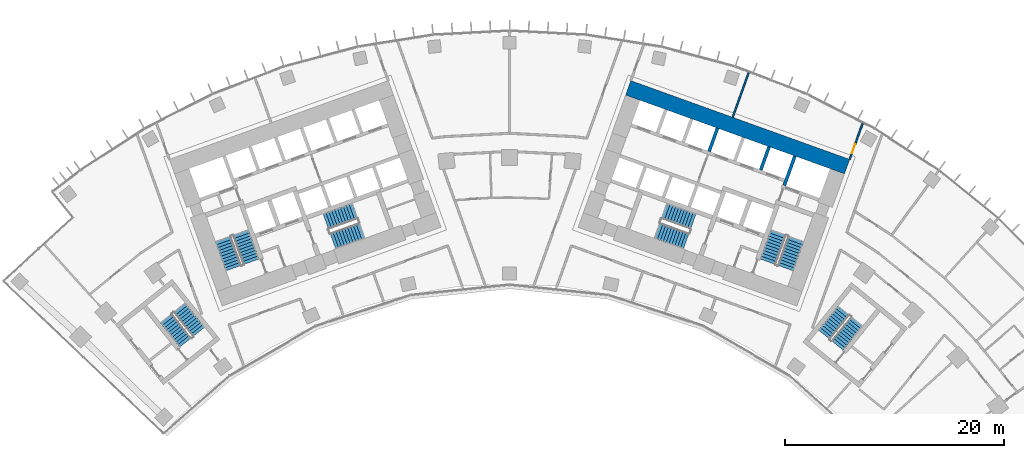
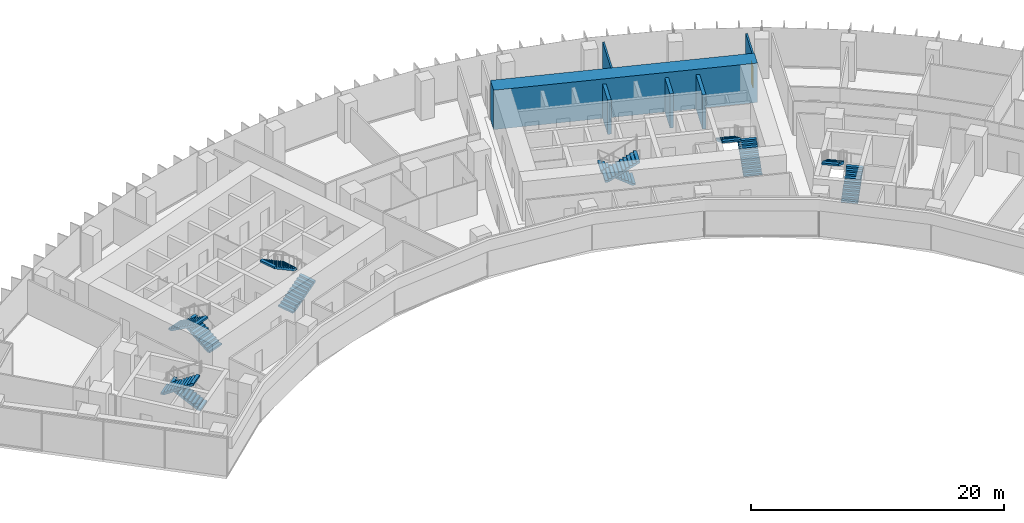
# One storey, part 20 of 22: 12 stair flights, 6 walls, 1 door, 1 opening, 6 elements without a shape of their own.
"""IFC4 building model written with IfcOpenShell, lengths in metres."""

from ifc_helpers import new_model, si_unit, direction, frame, frame_2d, origin, place, context, subcontext, project, spatial, polyline, rectangle, outline, extrude, material, layer, layer_set, type_object, element, fill, aggregate, save


model = new_model("IFC4")

# Units and contexts
model_context = context("Model", 3, precision=1e-05, world=origin(), true_north=direction((0.0, 1.0)))
body_context = subcontext(model_context, "Body", "Model", "MODEL_VIEW")
ifc_project = project(units=[si_unit("LENGTHUNIT", "METRE"), si_unit("AREAUNIT", "SQUARE_METRE"), si_unit("VOLUMEUNIT", "CUBIC_METRE"), si_unit("PLANEANGLEUNIT", "RADIAN"), si_unit("MASSUNIT", "GRAM", prefix="KILO")], contexts=[model_context])

# Site, building, storey
site_placement = place(None, origin())
site = spatial("IfcSite", under=ifc_project, at=site_placement, CompositionType="ELEMENT")
building_placement = place(site_placement, origin())
building = spatial("IfcBuilding", under=site, at=building_placement, Name="Stone Belt Terrace Tower", CompositionType="ELEMENT")
storey_placement = place(building_placement, frame((0.0, 0.0, 132.60009765625)))
storey = spatial("IfcBuildingStorey", under=building, at=storey_placement, Name="L32", CompositionType="ELEMENT", Elevation=132.60009765625)

# Walls
ifc_material_1 = material(Name="Concrete B80", Category="concrete")
ifc_layer_1 = layer(ifc_material_1, 1.39990234375)
ifc_layer_set_1 = layer_set([ifc_layer_1], Name="Core wall 1400 B80")
wall_type_1 = type_object("IfcWallType", Name="Core wall 1400 B80", PredefinedType="SHEAR", material=ifc_layer_set_1)
wall_1_placement = place(storey_placement, frame((10.81787109375, 61.362060546875, 0.0), z_axis=(0.0, 0.0, 1.0), x_axis=(0.940919704758, -0.338629752382, 0.0)))
element("IfcWall", 1, at=wall_1_placement, inside=storey, type_object=wall_type_1, Name="Core B wall convex L32", PredefinedType="SHEAR", context=body_context, shape_type="SweptSolid", body=[
    extrude(rectangle(XDim=21.199951171875, YDim=1.39990234375, at=frame_2d((10.60009765625, 0.0))), origin(), (0.0, 0.0, 1.0), 3.7998046875),
])
ifc_layer_2 = layer(ifc_material_1, 0.300048828125)
ifc_layer_set_2 = layer_set([ifc_layer_2], Name="Lift shaft wall 300")
wall_type_2 = type_object("IfcWallType", Name="Lift shaft wall 300", PredefinedType="SHEAR", material=ifc_layer_set_2)
wall_2_placement = place(storey_placement, frame((25.046875, 52.46826171875, 0.0), z_axis=(0.0, 0.0, 1.0), x_axis=(0.338549588058, 0.940948551423, 0.0)))
element("IfcWall", 2, at=wall_2_placement, inside=storey, type_object=wall_type_2, Name="Core B wall", PredefinedType="SHEAR", context=body_context, shape_type="SweptSolid", body=[
    extrude(rectangle(XDim=2.849853515625, YDim=0.300048828125, at=frame_2d((1.4248046875, 0.0))), origin(), (0.0, 0.0, 1.0), 3.2998046875),
])
for number, where, z_axis, x_axis, name in (
    (3, (22.897705078125, 53.87939453125, 0.0), (0.0, 0.0, 1.0), (0.338535034312, 0.940953787677, 0.0), "Core B wall"),
    (4, (18.193115234375, 55.572509765625, 0.0), (0.0, 0.0, 1.0), (0.338535034312, 0.940953787677, 0.0), "Core B wall"),
):
    element("IfcWall", number, at=place(storey_placement, frame(where, z_axis=z_axis, x_axis=x_axis)), inside=storey, type_object=wall_type_2, Name=name, PredefinedType="SHEAR", context=body_context, shape_type="SweptSolid", body=[
        extrude(rectangle(XDim=2.25, YDim=0.300048828125, at=frame_2d((1.125, 0.0))), origin(), (0.0, 0.0, 1.0), 3.2998046875),
    ])

# Wall, opening, door
ifc_material_2 = material(Name="Gypsum board partition")
ifc_layer_3 = layer(ifc_material_2, 0.14990234375)
ifc_layer_set_3 = layer_set([ifc_layer_3], Name="PARTITION 150 EI 60")
wall_type_3 = type_object("IfcWallType", Name="PARTITION 150 EI 60", PredefinedType="PARTITIONING", material=ifc_layer_set_3)
wall_3_placement = place(storey_placement, frame((31.001953125, 54.842041015625, 0.0), z_axis=(0.0, 0.0, 1.0), x_axis=(0.338662585219, 0.940907887826, 0.0)))
wall_3 = element("IfcWall", 5, at=wall_3_placement, inside=storey, type_object=wall_type_3, Name="L32/wall/i023", PredefinedType="PARTITIONING", context=body_context, shape_type="SweptSolid", body=[
    extrude(rectangle(XDim=3.49560546875, YDim=0.14990234375, at=frame_2d((1.747802734375, 0.0))), origin(), (0.0, 0.0, 1.0), 3.2998046875),
])
opening_placement = place(wall_3_placement, frame((0.599365234375, 0.0, 0.0)))
opening = element("IfcOpeningElement", 6, at=opening_placement, cuts=wall_3, Name="Opening D-B5-11", PredefinedType="OPENING", context=body_context, shape_type="SweptSolid", body=[
    extrude(rectangle(XDim=0.89990234375, YDim=2.10009765625, at=frame_2d((0.449951171875, 1.050048828125))), frame((0.0, 0.0849609375, 0.0), z_axis=(0.0, -1.0, 0.0), x_axis=(1.0, 0.0, 0.0)), (0.0, 0.0, 1.0), 0.169921875),
])
ifc_material_3 = material(Name="Timber door leaf", Category="wood")
door_type = type_object("IfcDoorType", Name="OFFICE DOOR 900 X 2100", OperationType="NOTDEFINED", PredefinedType="DOOR", material=ifc_material_3)
door_placement = place(opening_placement, origin())
door = element("IfcDoor", 7, at=door_placement, inside=storey, type_object=door_type, Name="L32/door/i11", OperationType="SINGLE_SWING_LEFT", OverallHeight=2.10009765625, OverallWidth=0.89990234375, PredefinedType="DOOR", context=body_context, shape_type="SweptSolid", body=[
    extrude(rectangle(XDim=0.89990234375, YDim=2.10009765625, at=frame_2d((0.449951171875, 1.050048828125))), frame((0.0, 0.02490234375, 0.0), z_axis=(0.0, -1.0, 0.0), x_axis=(1.0, 0.0, 0.0)), (0.0, 0.0, 1.0), 0.050048828125),
])
fill(opening, door)

# Wall
wall_4_placement = place(storey_placement, frame((21.80078125, 62.76513671875, 0.0), z_axis=(0.0, 0.0, 1.0), x_axis=(-0.338470422653, -0.940977031063, 0.0)))
element("IfcWall", 8, at=wall_4_placement, inside=storey, type_object=wall_type_3, Name="L32/wall/i035", PredefinedType="PARTITIONING", context=body_context, shape_type="SweptSolid", body=[
    extrude(rectangle(XDim=4.33935546875, YDim=0.14990234375, at=frame_2d((2.169677734375, 0.0))), origin(), (0.0, 0.0, 1.0), 3.2998046875),
])

# Stair, stair flights
ifc_material_4 = material(Name="Concrete B40", Category="concrete")
stair_type = type_object("IfcStairType", Name="Exit stair 1500", PredefinedType="HALF_TURN_STAIR", material=ifc_material_4)
stair_1_placement = place(storey_placement, origin())
stair_1 = element("IfcStair", 9, at=stair_1_placement, inside=storey, type_object=stair_type, Name="L32 Exit stair 1 core A", PredefinedType="HALF_TURN_STAIR")
stair_flight_type = type_object("IfcStairFlightType", Name="Stair flight 1500", PredefinedType="STRAIGHT", material=ifc_material_4)
stair_flight_1_placement = place(storey_placement, frame((-23.55322265625, 45.51318359375, 0.0), z_axis=(0.0, 0.0, 1.0), x_axis=(-0.338624396177, 0.940921632398, 0.0)))
stair_flight_1 = element("IfcStairFlight", 10, at=stair_flight_1_placement, type_object=stair_flight_type, Name="ST1A flight 1", NumberOfRisers=11, NumberOfTreads=10, PredefinedType="STRAIGHT", RiserHeight=0.172727273, TreadLength=0.28, context=body_context, shape_type="SweptSolid", body=[
    extrude(outline(polyline([(0.0, 0.0), (0.0, 0.172607421875), (0.280029296875, 0.172607421875), (0.280029296875, 0.345458984375), (0.56005859375, 0.345458984375), (0.56005859375, 0.51806640625), (0.840087890625, 0.51806640625), (0.840087890625, 0.69091796875), (1.1201171875, 0.69091796875), (1.1201171875, 0.863525390625), (1.39990234375, 0.863525390625), (1.39990234375, 1.036376953125), (1.679931640625, 1.036376953125), (1.679931640625, 1.208984375), (1.9599609375, 1.208984375), (1.9599609375, 1.3818359375), (2.239990234375, 1.3818359375), (2.239990234375, 1.554443359375), (2.52001953125, 1.554443359375), (2.52001953125, 1.727294921875), (2.800048828125, 1.727294921875), (2.800048828125, 1.89990234375), (2.800048828125, 1.551025390625), (0.285400390625, 0.0), (0.0, 0.0)])), frame((0.0, 0.75, 0.0), z_axis=(0.0, -1.0, 0.0), x_axis=(1.0, 0.0, 0.0)), (0.0, 0.0, 1.0), 1.5),
])
stair_flight_2_placement = place(storey_placement, frame((-26.10107421875, 47.572021484375, 1.89990234375), z_axis=(0.0, 0.0, 1.0), x_axis=(0.338624396177, -0.940921632398, 0.0)))
stair_flight_2 = element("IfcStairFlight", 11, at=stair_flight_2_placement, type_object=stair_flight_type, Name="ST1A flight 2", NumberOfRisers=11, NumberOfTreads=10, PredefinedType="STRAIGHT", RiserHeight=0.172727273, TreadLength=0.28, context=body_context, shape_type="SweptSolid", body=[
    extrude(outline(polyline([(0.0, 0.0), (0.0, 0.172607421875), (0.280029296875, 0.172607421875), (0.280029296875, 0.345458984375), (0.56005859375, 0.345458984375), (0.56005859375, 0.51806640625), (0.840087890625, 0.51806640625), (0.840087890625, 0.69091796875), (1.1201171875, 0.69091796875), (1.1201171875, 0.863525390625), (1.39990234375, 0.863525390625), (1.39990234375, 1.036376953125), (1.679931640625, 1.036376953125), (1.679931640625, 1.208984375), (1.9599609375, 1.208984375), (1.9599609375, 1.3818359375), (2.239990234375, 1.3818359375), (2.239990234375, 1.554443359375), (2.52001953125, 1.554443359375), (2.52001953125, 1.727294921875), (2.800048828125, 1.727294921875), (2.800048828125, 1.89990234375), (2.800048828125, 1.551025390625), (0.285400390625, 0.0), (0.0, 0.0)])), frame((0.0, 0.75, 0.0), z_axis=(0.0, -1.0, 0.0), x_axis=(1.0, 0.0, 0.0)), (0.0, 0.0, 1.0), 1.5),
])
aggregate(stair_1, [stair_flight_1, stair_flight_2])

stair_2_placement = place(storey_placement, origin())
stair_2 = element("IfcStair", 12, at=stair_2_placement, inside=storey, type_object=stair_type, Name="L32 Exit stair 2 core A", PredefinedType="HALF_TURN_STAIR")
stair_flight_3_placement = place(storey_placement, frame((-16.101318359375, 47.39794921875, 0.0), z_axis=(0.0, 0.0, 1.0), x_axis=(0.940921632398, 0.338624396177, 0.0)))
stair_flight_3 = element("IfcStairFlight", 13, at=stair_flight_3_placement, type_object=stair_flight_type, Name="ST2A flight 1", NumberOfRisers=11, NumberOfTreads=10, PredefinedType="STRAIGHT", RiserHeight=0.172727273, TreadLength=0.28, context=body_context, shape_type="SweptSolid", body=[
    extrude(outline(polyline([(0.0, 0.0), (0.0, 0.172607421875), (0.280029296875, 0.172607421875), (0.280029296875, 0.345458984375), (0.56005859375, 0.345458984375), (0.56005859375, 0.51806640625), (0.840087890625, 0.51806640625), (0.840087890625, 0.69091796875), (1.1201171875, 0.69091796875), (1.1201171875, 0.863525390625), (1.39990234375, 0.863525390625), (1.39990234375, 1.036376953125), (1.679931640625, 1.036376953125), (1.679931640625, 1.208984375), (1.9599609375, 1.208984375), (1.9599609375, 1.3818359375), (2.239990234375, 1.3818359375), (2.239990234375, 1.554443359375), (2.52001953125, 1.554443359375), (2.52001953125, 1.727294921875), (2.800048828125, 1.727294921875), (2.800048828125, 1.89990234375), (2.800048828125, 1.551025390625), (0.285400390625, 0.0), (0.0, 0.0)])), frame((0.0, 0.75, 0.0), z_axis=(0.0, -1.0, 0.0), x_axis=(1.0, 0.0, 0.0)), (0.0, 0.0, 1.0), 1.5),
])
stair_flight_4_placement = place(storey_placement, frame((-14.110107421875, 50.1337890625, 1.89990234375), z_axis=(0.0, 0.0, 1.0), x_axis=(-0.940921632398, -0.338624396177, 0.0)))
stair_flight_4 = element("IfcStairFlight", 14, at=stair_flight_4_placement, type_object=stair_flight_type, Name="ST2A flight 2", NumberOfRisers=11, NumberOfTreads=10, PredefinedType="STRAIGHT", RiserHeight=0.172727273, TreadLength=0.28, context=body_context, shape_type="SweptSolid", body=[
    extrude(outline(polyline([(0.0, 0.0), (0.0, 0.172607421875), (0.280029296875, 0.172607421875), (0.280029296875, 0.345458984375), (0.56005859375, 0.345458984375), (0.56005859375, 0.51806640625), (0.840087890625, 0.51806640625), (0.840087890625, 0.69091796875), (1.1201171875, 0.69091796875), (1.1201171875, 0.863525390625), (1.39990234375, 0.863525390625), (1.39990234375, 1.036376953125), (1.679931640625, 1.036376953125), (1.679931640625, 1.208984375), (1.9599609375, 1.208984375), (1.9599609375, 1.3818359375), (2.239990234375, 1.3818359375), (2.239990234375, 1.554443359375), (2.52001953125, 1.554443359375), (2.52001953125, 1.727294921875), (2.800048828125, 1.727294921875), (2.800048828125, 1.89990234375), (2.800048828125, 1.551025390625), (0.285400390625, 0.0), (0.0, 0.0)])), frame((0.0, 0.75, 0.0), z_axis=(0.0, -1.0, 0.0), x_axis=(1.0, 0.0, 0.0)), (0.0, 0.0, 1.0), 1.5),
])
aggregate(stair_2, [stair_flight_3, stair_flight_4])

stair_3_placement = place(storey_placement, origin())
stair_3 = element("IfcStair", 15, at=stair_3_placement, inside=storey, type_object=stair_type, Name="L32 Exit stair 1 core B", PredefinedType="HALF_TURN_STAIR")
stair_flight_5_placement = place(storey_placement, frame((25.15283203125, 44.9375, 0.0), z_axis=(0.0, 0.0, 1.0), x_axis=(0.338624396177, 0.940921632398, 0.0)))
stair_flight_5 = element("IfcStairFlight", 16, at=stair_flight_5_placement, type_object=stair_flight_type, Name="ST1B flight 1", NumberOfRisers=11, NumberOfTreads=10, PredefinedType="STRAIGHT", RiserHeight=0.172727273, TreadLength=0.28, context=body_context, shape_type="SweptSolid", body=[
    extrude(outline(polyline([(0.0, 0.0), (0.0, 0.172607421875), (0.280029296875, 0.172607421875), (0.280029296875, 0.345458984375), (0.56005859375, 0.345458984375), (0.56005859375, 0.51806640625), (0.840087890625, 0.51806640625), (0.840087890625, 0.69091796875), (1.1201171875, 0.69091796875), (1.1201171875, 0.863525390625), (1.39990234375, 0.863525390625), (1.39990234375, 1.036376953125), (1.679931640625, 1.036376953125), (1.679931640625, 1.208984375), (1.9599609375, 1.208984375), (1.9599609375, 1.3818359375), (2.239990234375, 1.3818359375), (2.239990234375, 1.554443359375), (2.52001953125, 1.554443359375), (2.52001953125, 1.727294921875), (2.800048828125, 1.727294921875), (2.800048828125, 1.89990234375), (2.800048828125, 1.551025390625), (0.285400390625, 0.0), (0.0, 0.0)])), frame((0.0, 0.75, 0.0), z_axis=(0.0, -1.0, 0.0), x_axis=(1.0, 0.0, 0.0)), (0.0, 0.0, 1.0), 1.5),
])
stair_flight_6_placement = place(storey_placement, frame((24.50146484375, 48.147705078125, 1.89990234375), z_axis=(0.0, 0.0, 1.0), x_axis=(-0.338624396177, -0.940921632398, 0.0)))
stair_flight_6 = element("IfcStairFlight", 17, at=stair_flight_6_placement, type_object=stair_flight_type, Name="ST1B flight 2", NumberOfRisers=11, NumberOfTreads=10, PredefinedType="STRAIGHT", RiserHeight=0.172727273, TreadLength=0.28, context=body_context, shape_type="SweptSolid", body=[
    extrude(outline(polyline([(0.0, 0.0), (0.0, 0.172607421875), (0.280029296875, 0.172607421875), (0.280029296875, 0.345458984375), (0.56005859375, 0.345458984375), (0.56005859375, 0.51806640625), (0.840087890625, 0.51806640625), (0.840087890625, 0.69091796875), (1.1201171875, 0.69091796875), (1.1201171875, 0.863525390625), (1.39990234375, 0.863525390625), (1.39990234375, 1.036376953125), (1.679931640625, 1.036376953125), (1.679931640625, 1.208984375), (1.9599609375, 1.208984375), (1.9599609375, 1.3818359375), (2.239990234375, 1.3818359375), (2.239990234375, 1.554443359375), (2.52001953125, 1.554443359375), (2.52001953125, 1.727294921875), (2.800048828125, 1.727294921875), (2.800048828125, 1.89990234375), (2.800048828125, 1.551025390625), (0.285400390625, 0.0), (0.0, 0.0)])), frame((0.0, 0.75, 0.0), z_axis=(0.0, -1.0, 0.0), x_axis=(1.0, 0.0, 0.0)), (0.0, 0.0, 1.0), 1.5),
])
aggregate(stair_3, [stair_flight_5, stair_flight_6])

stair_4_placement = place(storey_placement, origin())
stair_4 = element("IfcStair", 18, at=stair_4_placement, inside=storey, type_object=stair_type, Name="L32 Exit stair 2 core B", PredefinedType="HALF_TURN_STAIR")
stair_flight_7_placement = place(storey_placement, frame((16.74462890625, 49.185546875, 0.0), z_axis=(0.0, 0.0, 1.0), x_axis=(-0.940921632398, 0.338624396177, 0.0)))
stair_flight_7 = element("IfcStairFlight", 19, at=stair_flight_7_placement, type_object=stair_flight_type, Name="ST2B flight 1", NumberOfRisers=11, NumberOfTreads=10, PredefinedType="STRAIGHT", RiserHeight=0.172727273, TreadLength=0.28, context=body_context, shape_type="SweptSolid", body=[
    extrude(outline(polyline([(0.0, 0.0), (0.0, 0.172607421875), (0.280029296875, 0.172607421875), (0.280029296875, 0.345458984375), (0.56005859375, 0.345458984375), (0.56005859375, 0.51806640625), (0.840087890625, 0.51806640625), (0.840087890625, 0.69091796875), (1.1201171875, 0.69091796875), (1.1201171875, 0.863525390625), (1.39990234375, 0.863525390625), (1.39990234375, 1.036376953125), (1.679931640625, 1.036376953125), (1.679931640625, 1.208984375), (1.9599609375, 1.208984375), (1.9599609375, 1.3818359375), (2.239990234375, 1.3818359375), (2.239990234375, 1.554443359375), (2.52001953125, 1.554443359375), (2.52001953125, 1.727294921875), (2.800048828125, 1.727294921875), (2.800048828125, 1.89990234375), (2.800048828125, 1.551025390625), (0.285400390625, 0.0), (0.0, 0.0)])), frame((0.0, 0.75, 0.0), z_axis=(0.0, -1.0, 0.0), x_axis=(1.0, 0.0, 0.0)), (0.0, 0.0, 1.0), 1.5),
])
stair_flight_8_placement = place(storey_placement, frame((13.466796875, 48.345947265625, 1.89990234375), z_axis=(0.0, 0.0, 1.0), x_axis=(0.940921632398, -0.338624396177, 0.0)))
stair_flight_8 = element("IfcStairFlight", 20, at=stair_flight_8_placement, type_object=stair_flight_type, Name="ST2B flight 2", NumberOfRisers=11, NumberOfTreads=10, PredefinedType="STRAIGHT", RiserHeight=0.172727273, TreadLength=0.28, context=body_context, shape_type="SweptSolid", body=[
    extrude(outline(polyline([(0.0, 0.0), (0.0, 0.172607421875), (0.280029296875, 0.172607421875), (0.280029296875, 0.345458984375), (0.56005859375, 0.345458984375), (0.56005859375, 0.51806640625), (0.840087890625, 0.51806640625), (0.840087890625, 0.69091796875), (1.1201171875, 0.69091796875), (1.1201171875, 0.863525390625), (1.39990234375, 0.863525390625), (1.39990234375, 1.036376953125), (1.679931640625, 1.036376953125), (1.679931640625, 1.208984375), (1.9599609375, 1.208984375), (1.9599609375, 1.3818359375), (2.239990234375, 1.3818359375), (2.239990234375, 1.554443359375), (2.52001953125, 1.554443359375), (2.52001953125, 1.727294921875), (2.800048828125, 1.727294921875), (2.800048828125, 1.89990234375), (2.800048828125, 1.551025390625), (0.285400390625, 0.0), (0.0, 0.0)])), frame((0.0, 0.75, 0.0), z_axis=(0.0, -1.0, 0.0), x_axis=(1.0, 0.0, 0.0)), (0.0, 0.0, 1.0), 1.5),
])
aggregate(stair_4, [stair_flight_7, stair_flight_8])

stair_5_placement = place(storey_placement, origin())
stair_5 = element("IfcStair", 21, at=stair_5_placement, inside=storey, type_object=stair_type, Name="L32 Exit stair 3A", PredefinedType="HALF_TURN_STAIR")
stair_flight_9_placement = place(storey_placement, frame((-28.325439453125, 39.1240234375, 0.0), z_axis=(0.0, 0.0, 1.0), x_axis=(-0.623121363691, 0.782125160132, 0.0)))
stair_flight_9 = element("IfcStairFlight", 22, at=stair_flight_9_placement, type_object=stair_flight_type, Name="ST3A flight 1", NumberOfRisers=11, NumberOfTreads=10, PredefinedType="STRAIGHT", RiserHeight=0.172727273, TreadLength=0.28, context=body_context, shape_type="SweptSolid", body=[
    extrude(outline(polyline([(0.0, 0.0), (0.0, 0.172607421875), (0.280029296875, 0.172607421875), (0.280029296875, 0.345458984375), (0.56005859375, 0.345458984375), (0.56005859375, 0.51806640625), (0.840087890625, 0.51806640625), (0.840087890625, 0.69091796875), (1.1201171875, 0.69091796875), (1.1201171875, 0.863525390625), (1.39990234375, 0.863525390625), (1.39990234375, 1.036376953125), (1.679931640625, 1.036376953125), (1.679931640625, 1.208984375), (1.9599609375, 1.208984375), (1.9599609375, 1.3818359375), (2.239990234375, 1.3818359375), (2.239990234375, 1.554443359375), (2.52001953125, 1.554443359375), (2.52001953125, 1.727294921875), (2.800048828125, 1.727294921875), (2.800048828125, 1.89990234375), (2.800048828125, 1.551025390625), (0.285400390625, 0.0), (0.0, 0.0)])), frame((0.0, 0.675048828125, 0.0), z_axis=(0.0, -1.0, 0.0), x_axis=(1.0, 0.0, 0.0)), (0.0, 0.0, 1.0), 1.35009765625),
])
stair_flight_10_placement = place(storey_placement, frame((-31.282470703125, 40.34814453125, 1.89990234375), z_axis=(0.0, 0.0, 1.0), x_axis=(0.623121363691, -0.782125160132, 0.0)))
stair_flight_10 = element("IfcStairFlight", 23, at=stair_flight_10_placement, type_object=stair_flight_type, Name="ST3A flight 2", NumberOfRisers=11, NumberOfTreads=10, PredefinedType="STRAIGHT", RiserHeight=0.172727273, TreadLength=0.28, context=body_context, shape_type="SweptSolid", body=[
    extrude(outline(polyline([(0.0, 0.0), (0.0, 0.172607421875), (0.280029296875, 0.172607421875), (0.280029296875, 0.345458984375), (0.56005859375, 0.345458984375), (0.56005859375, 0.51806640625), (0.840087890625, 0.51806640625), (0.840087890625, 0.69091796875), (1.1201171875, 0.69091796875), (1.1201171875, 0.863525390625), (1.39990234375, 0.863525390625), (1.39990234375, 1.036376953125), (1.679931640625, 1.036376953125), (1.679931640625, 1.208984375), (1.9599609375, 1.208984375), (1.9599609375, 1.3818359375), (2.239990234375, 1.3818359375), (2.239990234375, 1.554443359375), (2.52001953125, 1.554443359375), (2.52001953125, 1.727294921875), (2.800048828125, 1.727294921875), (2.800048828125, 1.89990234375), (2.800048828125, 1.551025390625), (0.285400390625, 0.0), (0.0, 0.0)])), frame((0.0, 0.675048828125, 0.0), z_axis=(0.0, -1.0, 0.0), x_axis=(1.0, 0.0, 0.0)), (0.0, 0.0, 1.0), 1.35009765625),
])
aggregate(stair_5, [stair_flight_9, stair_flight_10])

stair_6_placement = place(storey_placement, origin())
stair_6 = element("IfcStair", 24, at=stair_6_placement, inside=storey, type_object=stair_type, Name="L32 Exit stair 3B", PredefinedType="HALF_TURN_STAIR")
stair_flight_11_placement = place(storey_placement, frame((29.88330078125, 37.887939453125, 0.0), z_axis=(0.0, 0.0, 1.0), x_axis=(0.630205749599, 0.776428176441, 0.0)))
stair_flight_11 = element("IfcStairFlight", 25, at=stair_flight_11_placement, type_object=stair_flight_type, Name="ST3B flight 1", NumberOfRisers=11, NumberOfTreads=10, PredefinedType="STRAIGHT", RiserHeight=0.172727273, TreadLength=0.28, context=body_context, shape_type="SweptSolid", body=[
    extrude(outline(polyline([(0.0, 0.0), (0.0, 0.172607421875), (0.280029296875, 0.172607421875), (0.280029296875, 0.345458984375), (0.56005859375, 0.345458984375), (0.56005859375, 0.51806640625), (0.840087890625, 0.51806640625), (0.840087890625, 0.69091796875), (1.1201171875, 0.69091796875), (1.1201171875, 0.863525390625), (1.39990234375, 0.863525390625), (1.39990234375, 1.036376953125), (1.679931640625, 1.036376953125), (1.679931640625, 1.208984375), (1.9599609375, 1.208984375), (1.9599609375, 1.3818359375), (2.239990234375, 1.3818359375), (2.239990234375, 1.554443359375), (2.52001953125, 1.554443359375), (2.52001953125, 1.727294921875), (2.800048828125, 1.727294921875), (2.800048828125, 1.89990234375), (2.800048828125, 1.551025390625), (0.285400390625, 0.0), (0.0, 0.0)])), frame((0.0, 0.675048828125, 0.0), z_axis=(0.0, -1.0, 0.0), x_axis=(1.0, 0.0, 0.0)), (0.0, 0.0, 1.0), 1.35009765625),
])
stair_flight_12_placement = place(storey_placement, frame((30.4443359375, 41.038818359375, 1.89990234375), z_axis=(0.0, 0.0, 1.0), x_axis=(-0.630205749599, -0.776428176441, 0.0)))
stair_flight_12 = element("IfcStairFlight", 26, at=stair_flight_12_placement, type_object=stair_flight_type, Name="ST3B flight 2", NumberOfRisers=11, NumberOfTreads=10, PredefinedType="STRAIGHT", RiserHeight=0.172727273, TreadLength=0.28, context=body_context, shape_type="SweptSolid", body=[
    extrude(outline(polyline([(0.0, 0.0), (0.0, 0.172607421875), (0.280029296875, 0.172607421875), (0.280029296875, 0.345458984375), (0.56005859375, 0.345458984375), (0.56005859375, 0.51806640625), (0.840087890625, 0.51806640625), (0.840087890625, 0.69091796875), (1.1201171875, 0.69091796875), (1.1201171875, 0.863525390625), (1.39990234375, 0.863525390625), (1.39990234375, 1.036376953125), (1.679931640625, 1.036376953125), (1.679931640625, 1.208984375), (1.9599609375, 1.208984375), (1.9599609375, 1.3818359375), (2.239990234375, 1.3818359375), (2.239990234375, 1.554443359375), (2.52001953125, 1.554443359375), (2.52001953125, 1.727294921875), (2.800048828125, 1.727294921875), (2.800048828125, 1.89990234375), (2.800048828125, 1.551025390625), (0.285400390625, 0.0), (0.0, 0.0)])), frame((0.0, 0.675048828125, 0.0), z_axis=(0.0, -1.0, 0.0), x_axis=(1.0, 0.0, 0.0)), (0.0, 0.0, 1.0), 1.35009765625),
])
aggregate(stair_6, [stair_flight_11, stair_flight_12])

save(model, "model.ifc")
